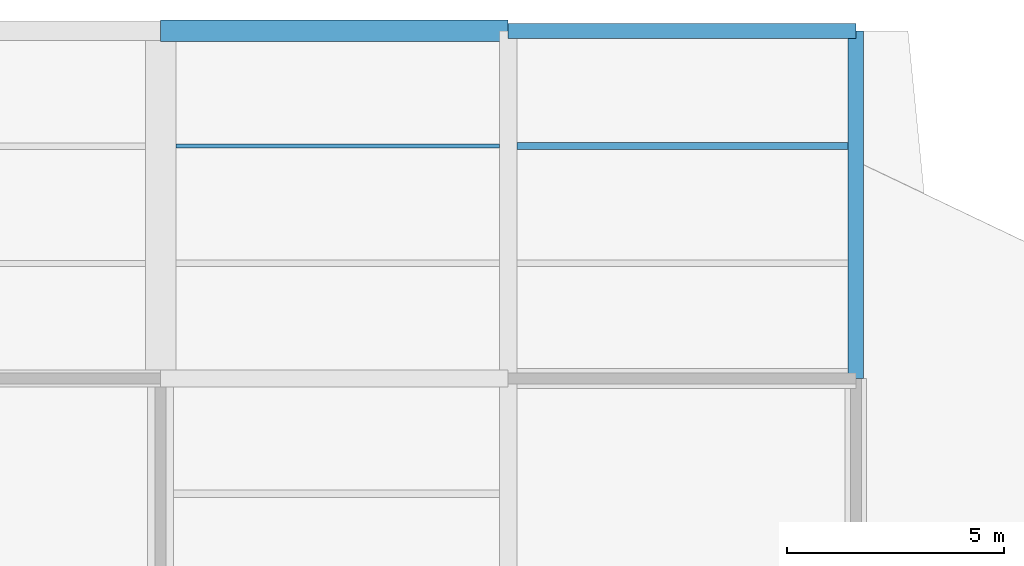
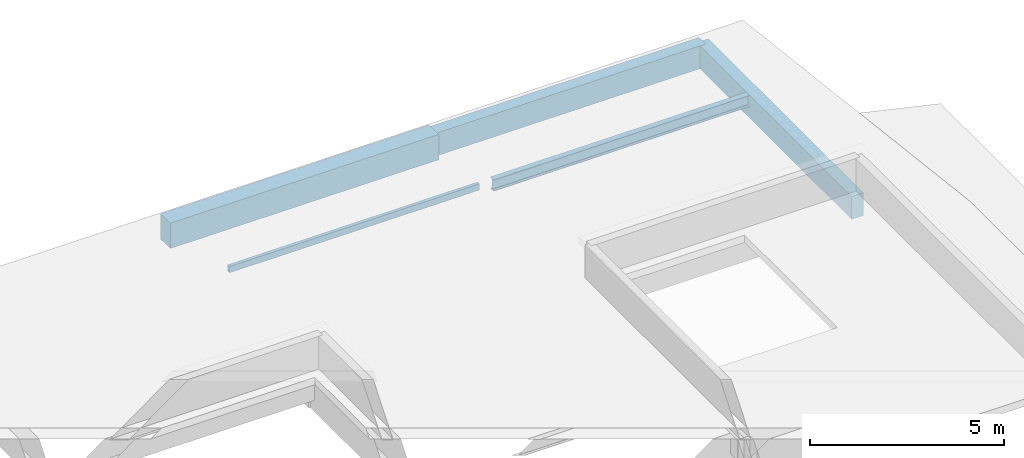
# One storey, part 11 of 20: 5 beams.
"""IFC4 building model written with IfcOpenShell, lengths in metres."""

from ifc_helpers import new_model, si_unit, direction, frame, origin, origin_2d, place, context, subcontext, project, spatial, rectangle, hollow_rectangle, i_section, extrude, material, material_profile, profile_set, type_object, element, save


model = new_model("IFC4")

# Units and contexts
model_context = context("Model", 3, precision=1e-05, world=origin(), true_north=direction((0.0, 1.0)))
body_context = subcontext(model_context, "Body", "Model", "MODEL_VIEW")
ifc_project = project(units=[si_unit("LENGTHUNIT", "METRE"), si_unit("AREAUNIT", "SQUARE_METRE"), si_unit("VOLUMEUNIT", "CUBIC_METRE"), si_unit("PLANEANGLEUNIT", "RADIAN"), si_unit("MASSUNIT", "GRAM", prefix="KILO")], contexts=[model_context])

# Site, building, storey
site_placement = place(None, origin())
site = spatial("IfcSite", under=ifc_project, at=site_placement, CompositionType="ELEMENT")
building_placement = place(site_placement, origin())
building = spatial("IfcBuilding", under=site, at=building_placement, Name="Tenunan Teduh Sports Hall", CompositionType="ELEMENT")
storey_placement = place(building_placement, frame((0.0, 0.0, 23.39990234375)))
storey = spatial("IfcBuildingStorey", under=building, at=storey_placement, Name="RF", CompositionType="ELEMENT", Elevation=23.39990234375)

# Beams
ifc_material_1 = material(Name="Concrete C40/50", Category="concrete")
ifc_material_profile_1 = material_profile(ifc_material_1, rectangle(XDim=0.5, YDim=0.800048828125, at=origin_2d()), Name="RCB 500x800")
ifc_profile_set_1 = profile_set([ifc_material_profile_1], Name="Concrete C40/50")
beam_type_1 = type_object("IfcBeamType", Name="BM-RC-500x800", PredefinedType="BEAM", material=ifc_profile_set_1)
beam_1_placement = place(storey_placement, frame((22.0, 118.0, -0.6298828125), z_axis=(1.0, 0.0, 0.0), x_axis=(0.0, 1.0, 0.0)))
element("IfcBeam", 1, at=beam_1_placement, inside=storey, type_object=beam_type_1, Name="BM-B-14-RF-2179", PredefinedType="BEAM", context=body_context, shape_type="SweptSolid", body=[
    extrude(rectangle(XDim=0.5, YDim=0.800048828125, at=origin_2d()), origin(), (0.0, 0.0, 1.0), 8.0),
])
ifc_material_2 = material(Name="Concrete C40/50", Category="concrete")
ifc_material_profile_2 = material_profile(ifc_material_2, rectangle(XDim=0.35009765625, YDim=0.719970703125, at=origin_2d()), Name="TB 350x720")
ifc_profile_set_2 = profile_set([ifc_material_profile_2], Name="Concrete C40/50")
beam_type_2 = type_object("IfcBeamType", Name="BM-TB-350x720", PredefinedType="T_BEAM", material=ifc_profile_set_2)
for number, where, z_axis, x_axis, name in (
    (2, (30.0, 118.0, -0.58984375), (1.0, 0.0, 0.0), (0.0, 1.0, 0.0), "BM-TB-01-RF-2180"),
    (3, (38.0, 110.0, -0.58984375), (0.0, 1.0, 0.0), (-1.0, 0.0, 0.0), "BM-TB-01-RF-2199"),
):
    element("IfcBeam", number, at=place(storey_placement, frame(where, z_axis=z_axis, x_axis=x_axis)), inside=storey, type_object=beam_type_2, Name=name, PredefinedType="T_BEAM", context=body_context, shape_type="SweptSolid", body=[
        extrude(rectangle(XDim=0.35009765625, YDim=0.719970703125, at=origin_2d()), origin(), (0.0, 0.0, 1.0), 8.0),
    ])
ifc_material_3 = material(Name="Steel S355", Category="steel")
ifc_material_profile_3 = material_profile(ifc_material_3, i_section(OverallWidth=0.169921875, OverallDepth=0.360107421875, WebThickness=0.008056640625, FlangeThickness=0.0126953125, FilletRadius=0.01806640625, at=origin_2d()), Name="IPE 360")
ifc_profile_set_3 = profile_set([ifc_material_profile_3], Name="Steel S355")
beam_type_3 = type_object("IfcBeamType", Name="JST-IPE360", PredefinedType="JOIST", material=ifc_profile_set_3)
beam_2_placement = place(storey_placement, frame((30.199951171875, 115.35009765625, -0.409912109375), z_axis=(1.0, 0.0, 0.0), x_axis=(0.0, 1.0, 0.0)))
element("IfcBeam", 4, at=beam_2_placement, inside=storey, type_object=beam_type_3, Name="BM-J-05-RF-2221", PredefinedType="JOIST", context=body_context, shape_type="SweptSolid", body=[
    extrude(i_section(OverallWidth=0.169921875, OverallDepth=0.360107421875, WebThickness=0.008056640625, FlangeThickness=0.0126953125, FilletRadius=0.01806640625, at=origin_2d()), origin(), (0.0, 0.0, 1.0), 7.625),
])
ifc_material_4 = material(Name="Steel S355", Category="steel")
ifc_material_profile_4 = material_profile(ifc_material_4, hollow_rectangle(XDim=0.10009765625, YDim=0.199951171875, WallThickness=0.008056640625, at=origin_2d()), Name="RHS 200x100x8.0")
ifc_profile_set_4 = profile_set([ifc_material_profile_4], Name="Steel S355")
beam_type_4 = type_object("IfcBeamType", Name="RBM-RHS200", PredefinedType="JOIST", material=ifc_profile_set_4)
beam_3_placement = place(storey_placement, frame((22.35009765625, 115.35009765625, -0.329833984375), z_axis=(1.0, 0.0, 0.0), x_axis=(0.0, 1.0, 0.0)))
element("IfcBeam", 5, at=beam_3_placement, inside=storey, type_object=beam_type_4, Name="Perimeter Ring Beam BM-RB-05-RF-2217", PredefinedType="JOIST", context=body_context, shape_type="SweptSolid", body=[
    extrude(hollow_rectangle(XDim=0.10009765625, YDim=0.199951171875, WallThickness=0.008056640625, at=origin_2d()), origin(), (0.0, 0.0, 1.0), 7.449951171875),
])

save(model, "model.ifc")
